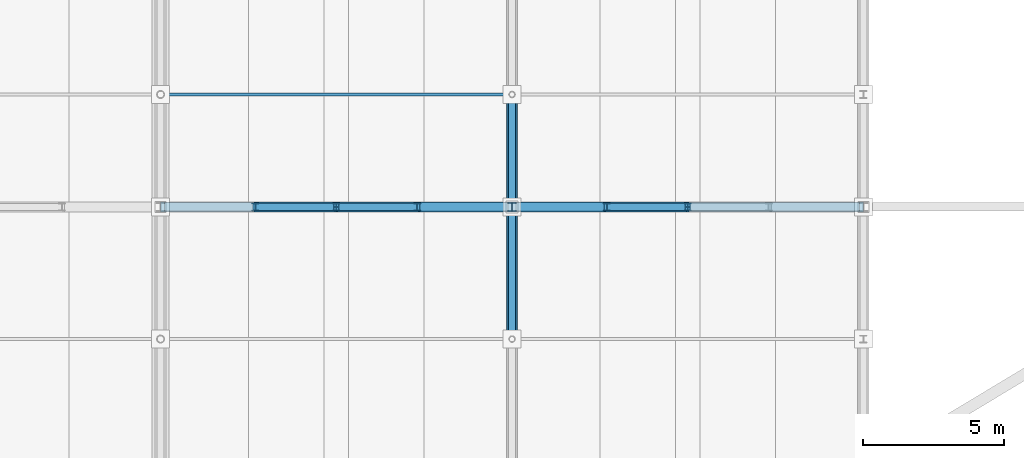
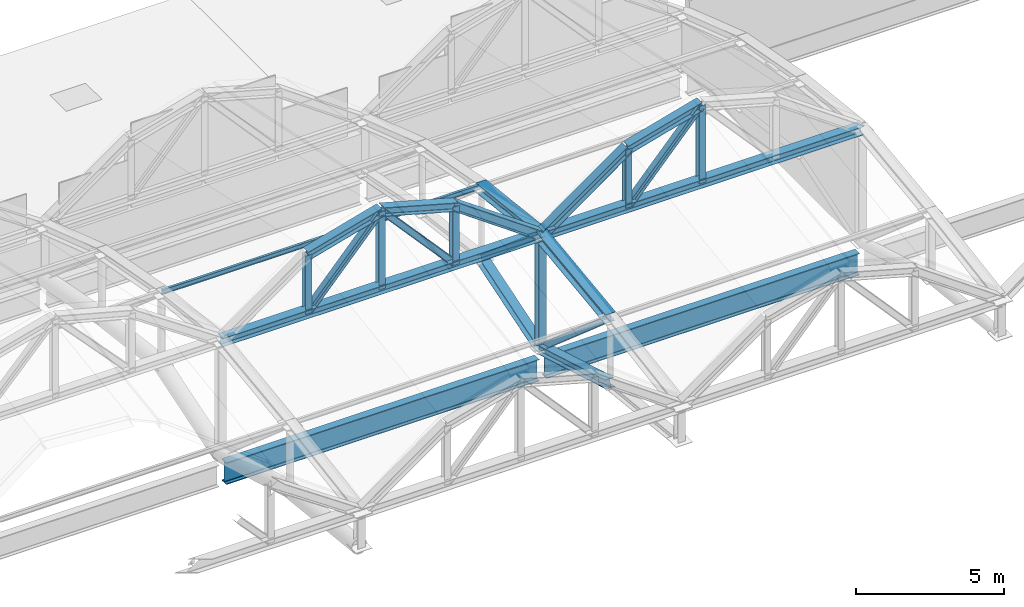
# One storey, part 69 of 117: 23 members, 2 beams.
"""IFC4 building model written with IfcOpenShell, lengths in metres."""

from ifc_helpers import new_model, si_unit, direction, frame, origin, origin_2d, place, context, subcontext, project, spatial, i_section, extrude, material, material_profile, profile_set, type_object, element, save


model = new_model("IFC4")

# Units and contexts
model_context = context("Model", 3, precision=1e-05, world=origin(), true_north=direction((0.0, 1.0)))
body_context = subcontext(model_context, "Body", "Model", "MODEL_VIEW")
ifc_project = project(units=[si_unit("LENGTHUNIT", "METRE"), si_unit("AREAUNIT", "SQUARE_METRE"), si_unit("VOLUMEUNIT", "CUBIC_METRE"), si_unit("PLANEANGLEUNIT", "RADIAN"), si_unit("MASSUNIT", "GRAM", prefix="KILO")], contexts=[model_context])

# Site, building, storey
site_placement = place(None, origin())
site = spatial("IfcSite", under=ifc_project, at=site_placement, CompositionType="ELEMENT")
building_placement = place(site_placement, origin())
building = spatial("IfcBuilding", under=site, at=building_placement, Name="Kazenohara Klinker Stadium", CompositionType="ELEMENT")
storey_placement = place(building_placement, frame((0.0, 0.0, 31.199951171875)))
storey = spatial("IfcBuildingStorey", under=building, at=storey_placement, Name="RF", CompositionType="ELEMENT", Elevation=31.199951171875)

# Members
ifc_material = material(Name="Steel S355", Category="steel")
ifc_material_profile_1 = material_profile(ifc_material, i_section(OverallWidth=0.25, OverallDepth=0.25, WebThickness=0.009033203125, FlangeThickness=0.013916015625, FilletRadius=0.012939453125, at=origin_2d()), Name="H-250x250x9x14")
ifc_profile_set_1 = profile_set([ifc_material_profile_1], Name="Steel S355")
member_type_1 = type_object("IfcMemberType", Name="MEM-BRC02", PredefinedType="BRACE", material=ifc_profile_set_1)
member_1_placement = place(storey_placement, frame((137.5, 136.0, 1.25), z_axis=(0.0, -0.761925548551, 0.647664618815), x_axis=(1.0, 0.0, 0.0)))
element("IfcMember", 1, at=member_1_placement, inside=storey, type_object=member_type_1, Name="ROOF TRUSS RT-N07 web diagonal 3", PredefinedType="BRACE", context=body_context, shape_type="SweptSolid", body=[
    extrude(i_section(OverallWidth=0.25, OverallDepth=0.25, WebThickness=0.009033203125, FlangeThickness=0.013916015625, FilletRadius=0.012939453125, at=origin_2d()), origin(), (0.0, 0.0, 1.0), 5.249755859375),
])
member_2_placement = place(storey_placement, frame((137.5, 132.0, -0.02001953125), z_axis=(0.0, -0.755945561544, 0.65463448426), x_axis=(1.0, 0.0, 0.0)))
element("IfcMember", 2, at=member_2_placement, inside=storey, type_object=member_type_1, Name="ROOF TRUSS RT-N07 web diagonal 4", PredefinedType="BRACE", context=body_context, shape_type="SweptSolid", body=[
    extrude(i_section(OverallWidth=0.25, OverallDepth=0.25, WebThickness=0.009033203125, FlangeThickness=0.013916015625, FilletRadius=0.012939453125, at=origin_2d()), origin(), (0.0, 0.0, 1.0), 6.21728515625),
])
ifc_material_profile_2 = material_profile(ifc_material, i_section(OverallWidth=0.39990234375, OverallDepth=0.39990234375, WebThickness=0.012939453125, FlangeThickness=0.02099609375, FilletRadius=0.02197265625, at=origin_2d()), Name="H-400x400x13x21")
ifc_profile_set_2 = profile_set([ifc_material_profile_2], Name="Steel S355")
member_type_2 = type_object("IfcMemberType", Name="MEM-CHD01", PredefinedType="CHORD", material=ifc_profile_set_2)
member_3_placement = place(storey_placement, frame((137.5, 136.0, 4.199951171875), z_axis=(0.0, -0.993725924527, 0.111842688283), x_axis=(1.0, 0.0, 0.0)))
element("IfcMember", 3, at=member_3_placement, inside=storey, type_object=member_type_2, Name="ROOF TRUSS RT-N07 top arched chord 3", PredefinedType="CHORD", context=body_context, shape_type="SweptSolid", body=[
    extrude(i_section(OverallWidth=0.39990234375, OverallDepth=0.39990234375, WebThickness=0.012939453125, FlangeThickness=0.02099609375, FilletRadius=0.02197265625, at=origin_2d()), origin(), (0.0, 0.0, 1.0), 4.025146484375),
])
member_4_placement = place(storey_placement, frame((137.5, 132.0, 4.650146484375), z_axis=(0.0, -0.99194702514, -0.126653461524), x_axis=(1.0, 0.0, 0.0)))
element("IfcMember", 4, at=member_4_placement, inside=storey, type_object=member_type_2, Name="ROOF TRUSS RT-N07 top arched chord 4", PredefinedType="CHORD", context=body_context, shape_type="SweptSolid", body=[
    extrude(i_section(OverallWidth=0.39990234375, OverallDepth=0.39990234375, WebThickness=0.012939453125, FlangeThickness=0.02099609375, FilletRadius=0.02197265625, at=origin_2d()), origin(), (0.0, 0.0, 1.0), 4.738037109375),
])
ifc_material_profile_3 = material_profile(ifc_material, i_section(OverallWidth=0.35009765625, OverallDepth=0.35009765625, WebThickness=0.011962890625, FlangeThickness=0.01904296875, FilletRadius=0.012939453125, at=origin_2d()), Name="H-350x350x12x19")
ifc_profile_set_3 = profile_set([ifc_material_profile_3], Name="Steel S355")
member_type_3 = type_object("IfcMemberType", Name="MEM-CHD02", PredefinedType="CHORD", material=ifc_profile_set_3)
member_5_placement = place(storey_placement, frame((137.5, 136.0, 1.25), z_axis=(0.0, -0.953112016541, -0.302617719119), x_axis=(1.0, 0.0, 0.0)))
element("IfcMember", 5, at=member_5_placement, inside=storey, type_object=member_type_3, Name="ROOF TRUSS RT-N07 bottom arched chord 3", PredefinedType="CHORD", context=body_context, shape_type="SweptSolid", body=[
    extrude(i_section(OverallWidth=0.35009765625, OverallDepth=0.35009765625, WebThickness=0.011962890625, FlangeThickness=0.01904296875, FilletRadius=0.012939453125, at=origin_2d()), origin(), (0.0, 0.0, 1.0), 4.19677734375),
])
member_6_placement = place(storey_placement, frame((137.5, 132.0, -0.02001953125), z_axis=(0.0, -0.960038530088, 0.279867863012), x_axis=(1.0, 0.0, 0.0)))
element("IfcMember", 6, at=member_6_placement, inside=storey, type_object=member_type_3, Name="ROOF TRUSS RT-N07 bottom arched chord 4", PredefinedType="CHORD", context=body_context, shape_type="SweptSolid", body=[
    extrude(i_section(OverallWidth=0.35009765625, OverallDepth=0.35009765625, WebThickness=0.011962890625, FlangeThickness=0.01904296875, FilletRadius=0.012939453125, at=origin_2d()), origin(), (0.0, 0.0, 1.0), 4.8955078125),
])
member_7_placement = place(storey_placement, frame((125.0, 132.0, 4.650146484375), z_axis=(1.0, 0.0, 0.0), x_axis=(0.0, 1.0, 0.0)))
element("IfcMember", 7, at=member_7_placement, inside=storey, type_object=member_type_3, Name="Barrel arch tie chord TC02 N-06-N3", PredefinedType="CHORD", context=body_context, shape_type="SweptSolid", body=[
    extrude(i_section(OverallWidth=0.35009765625, OverallDepth=0.35009765625, WebThickness=0.011962890625, FlangeThickness=0.01904296875, FilletRadius=0.012939453125, at=origin_2d()), origin(), (0.0, 0.0, 1.0), 12.5),
])
for number, where, z_axis, x_axis, name in (
    (8, (128.375, 132.0, 7.050048828125), (0.963393567269, 0.0, 0.268091093745), (0.0, 1.0, 0.0), "Barrel arch top rib TC02 N-06-N3-S2"),
    (9, (131.25, 132.0, 7.85009765625), (0.963393567269, 0.0, -0.268091093745), (0.0, 1.0, 0.0), "Barrel arch top rib TC02 N-06-N3-S3"),
):
    element("IfcMember", number, at=place(storey_placement, frame(where, z_axis=z_axis, x_axis=x_axis)), inside=storey, type_object=member_type_3, Name=name, PredefinedType="CHORD", context=body_context, shape_type="SweptSolid", body=[
        extrude(i_section(OverallWidth=0.35009765625, OverallDepth=0.35009765625, WebThickness=0.011962890625, FlangeThickness=0.01904296875, FilletRadius=0.012939453125, at=origin_2d()), origin(), (0.0, 0.0, 1.0), 2.984130859375),
    ])
member_8_placement = place(storey_placement, frame((134.125, 132.0, 7.050048828125), z_axis=(0.814966461491, 0.0, -0.579508124744), x_axis=(0.0, 1.0, 0.0)))
element("IfcMember", 10, at=member_8_placement, inside=storey, type_object=member_type_3, Name="Barrel arch top rib TC02 N-06-N3-S4", PredefinedType="CHORD", context=body_context, shape_type="SweptSolid", body=[
    extrude(i_section(OverallWidth=0.35009765625, OverallDepth=0.35009765625, WebThickness=0.011962890625, FlangeThickness=0.01904296875, FilletRadius=0.012939453125, at=origin_2d()), origin(), (0.0, 0.0, 1.0), 4.141357421875),
])
member_9_placement = place(storey_placement, frame((137.5, 132.0, 4.650146484375), z_axis=(1.0, 0.0, 0.0), x_axis=(0.0, 1.0, 0.0)))
element("IfcMember", 11, at=member_9_placement, inside=storey, type_object=member_type_3, Name="Barrel arch tie chord TC02 N-07-N3", PredefinedType="CHORD", context=body_context, shape_type="SweptSolid", body=[
    extrude(i_section(OverallWidth=0.35009765625, OverallDepth=0.35009765625, WebThickness=0.011962890625, FlangeThickness=0.01904296875, FilletRadius=0.012939453125, at=origin_2d()), origin(), (0.0, 0.0, 1.0), 12.5),
])
member_10_placement = place(storey_placement, frame((137.5, 132.0, 4.650146484375), z_axis=(0.814966461491, 0.0, 0.579508124744), x_axis=(0.0, 1.0, 0.0)))
element("IfcMember", 12, at=member_10_placement, inside=storey, type_object=member_type_3, Name="Barrel arch top rib TC02 N-07-N3-S1", PredefinedType="CHORD", context=body_context, shape_type="SweptSolid", body=[
    extrude(i_section(OverallWidth=0.35009765625, OverallDepth=0.35009765625, WebThickness=0.011962890625, FlangeThickness=0.01904296875, FilletRadius=0.012939453125, at=origin_2d()), origin(), (0.0, 0.0, 1.0), 4.141357421875),
])
member_11_placement = place(storey_placement, frame((140.875, 132.0, 7.050048828125), z_axis=(0.963393567269, 0.0, 0.268091093745), x_axis=(0.0, 1.0, 0.0)))
element("IfcMember", 13, at=member_11_placement, inside=storey, type_object=member_type_3, Name="Barrel arch top rib TC02 N-07-N3-S2", PredefinedType="CHORD", context=body_context, shape_type="SweptSolid", body=[
    extrude(i_section(OverallWidth=0.35009765625, OverallDepth=0.35009765625, WebThickness=0.011962890625, FlangeThickness=0.01904296875, FilletRadius=0.012939453125, at=origin_2d()), origin(), (0.0, 0.0, 1.0), 2.984130859375),
])
ifc_material_profile_4 = material_profile(ifc_material, i_section(OverallWidth=0.10009765625, OverallDepth=0.199951171875, WebThickness=0.005615234375, FlangeThickness=0.008056640625, FilletRadius=0.008056640625, at=origin_2d()), Name="H-200x100x5.5x8")
ifc_profile_set_4 = profile_set([ifc_material_profile_4], Name="Steel S355")
member_type_4 = type_object("IfcMemberType", Name="MEM-PUR02", PredefinedType="PURLIN", material=ifc_profile_set_4)
member_12_placement = place(storey_placement, frame((125.0, 136.0, 4.219970703125), z_axis=(1.0, 0.0, 0.0), x_axis=(0.0, 1.0, 0.0)))
element("IfcMember", 14, at=member_12_placement, inside=storey, type_object=member_type_4, Name="Canopy valley tie purlin PR02 N-06-N2", PredefinedType="PURLIN", context=body_context, shape_type="SweptSolid", body=[
    extrude(i_section(OverallWidth=0.10009765625, OverallDepth=0.199951171875, WebThickness=0.005615234375, FlangeThickness=0.008056640625, FilletRadius=0.008056640625, at=origin_2d()), origin(), (0.0, 0.0, 1.0), 12.5),
])
ifc_material_profile_5 = material_profile(ifc_material, i_section(OverallWidth=0.300048828125, OverallDepth=0.300048828125, WebThickness=0.010009765625, FlangeThickness=0.014892578125, FilletRadius=0.012939453125, at=origin_2d()), Name="H-300x300x10x15")
ifc_profile_set_5 = profile_set([ifc_material_profile_5], Name="Steel S355")
member_type_5 = type_object("IfcMemberType", Name="MEM-STR01", PredefinedType="STRUT", material=ifc_profile_set_5)
member_13_placement = place(storey_placement, frame((137.5, 132.0, -0.02001953125), z_axis=(0.0, 0.0, 1.0), x_axis=(1.0, 0.0, 0.0)))
element("IfcMember", 15, at=member_13_placement, inside=storey, type_object=member_type_5, Name="ROOF TRUSS RT-N07 web post 4", PredefinedType="STRUT", context=body_context, shape_type="SweptSolid", body=[
    extrude(i_section(OverallWidth=0.300048828125, OverallDepth=0.300048828125, WebThickness=0.010009765625, FlangeThickness=0.014892578125, FilletRadius=0.012939453125, at=origin_2d()), origin(), (0.0, 0.0, 1.0), 4.670166015625),
])
ifc_material_profile_6 = material_profile(ifc_material, i_section(OverallWidth=0.25, OverallDepth=0.25, WebThickness=0.009033203125, FlangeThickness=0.013916015625, FilletRadius=0.012939453125, at=origin_2d()), Name="H-250x250x9x14")
ifc_profile_set_6 = profile_set([ifc_material_profile_6], Name="Steel S355")
member_type_6 = type_object("IfcMemberType", Name="MEM-STR02", PredefinedType="STRUT", material=ifc_profile_set_6)
member_14_placement = place(storey_placement, frame((128.375, 132.0, 4.650146484375), z_axis=(0.0, 0.0, 1.0), x_axis=(1.0, 0.0, 0.0)))
element("IfcMember", 16, at=member_14_placement, inside=storey, type_object=member_type_6, Name="Barrel arch web post TS02 N-06-N3-P1", PredefinedType="STRUT", context=body_context, shape_type="SweptSolid", body=[
    extrude(i_section(OverallWidth=0.25, OverallDepth=0.25, WebThickness=0.009033203125, FlangeThickness=0.013916015625, FilletRadius=0.012939453125, at=origin_2d()), origin(), (0.0, 0.0, 1.0), 2.39990234375),
])
member_15_placement = place(storey_placement, frame((131.25, 132.0, 4.650146484375), z_axis=(0.0, 0.0, 1.0), x_axis=(1.0, 0.0, 0.0)))
element("IfcMember", 17, at=member_15_placement, inside=storey, type_object=member_type_6, Name="Barrel arch web post TS02 N-06-N3-P2", PredefinedType="STRUT", context=body_context, shape_type="SweptSolid", body=[
    extrude(i_section(OverallWidth=0.25, OverallDepth=0.25, WebThickness=0.009033203125, FlangeThickness=0.013916015625, FilletRadius=0.012939453125, at=origin_2d()), origin(), (0.0, 0.0, 1.0), 3.199951171875),
])
member_16_placement = place(storey_placement, frame((134.125, 132.0, 4.650146484375), z_axis=(0.0, 0.0, 1.0), x_axis=(1.0, 0.0, 0.0)))
element("IfcMember", 18, at=member_16_placement, inside=storey, type_object=member_type_6, Name="Barrel arch web post TS02 N-06-N3-P3", PredefinedType="STRUT", context=body_context, shape_type="SweptSolid", body=[
    extrude(i_section(OverallWidth=0.25, OverallDepth=0.25, WebThickness=0.009033203125, FlangeThickness=0.013916015625, FilletRadius=0.012939453125, at=origin_2d()), origin(), (0.0, 0.0, 1.0), 2.39990234375),
])
for number, where, z_axis, x_axis, name in (
    (19, (128.375, 132.0, 4.650146484375), (0.668327970369, 0.0, 0.74386673808), (0.0, 1.0, 0.0), "Barrel arch web diagonal TS02 N-06-N3-D1"),
    (20, (134.125, 132.0, 4.650146484375), (-0.668327970369, 0.0, 0.74386673808), (0.0, -1.0, 0.0), "Barrel arch web diagonal TS02 N-06-N3-D2"),
):
    element("IfcMember", number, at=place(storey_placement, frame(where, z_axis=z_axis, x_axis=x_axis)), inside=storey, type_object=member_type_6, Name=name, PredefinedType="STRUT", context=body_context, shape_type="SweptSolid", body=[
        extrude(i_section(OverallWidth=0.25, OverallDepth=0.25, WebThickness=0.009033203125, FlangeThickness=0.013916015625, FilletRadius=0.012939453125, at=origin_2d()), origin(), (0.0, 0.0, 1.0), 4.3017578125),
    ])
member_17_placement = place(storey_placement, frame((140.875, 132.0, 4.650146484375), z_axis=(0.0, 0.0, 1.0), x_axis=(1.0, 0.0, 0.0)))
element("IfcMember", 21, at=member_17_placement, inside=storey, type_object=member_type_6, Name="Barrel arch web post TS02 N-07-N3-P1", PredefinedType="STRUT", context=body_context, shape_type="SweptSolid", body=[
    extrude(i_section(OverallWidth=0.25, OverallDepth=0.25, WebThickness=0.009033203125, FlangeThickness=0.013916015625, FilletRadius=0.012939453125, at=origin_2d()), origin(), (0.0, 0.0, 1.0), 2.39990234375),
])
member_18_placement = place(storey_placement, frame((143.75, 132.0, 4.650146484375), z_axis=(0.0, 0.0, 1.0), x_axis=(1.0, 0.0, 0.0)))
element("IfcMember", 22, at=member_18_placement, inside=storey, type_object=member_type_6, Name="Barrel arch web post TS02 N-07-N3-P2", PredefinedType="STRUT", context=body_context, shape_type="SweptSolid", body=[
    extrude(i_section(OverallWidth=0.25, OverallDepth=0.25, WebThickness=0.009033203125, FlangeThickness=0.013916015625, FilletRadius=0.012939453125, at=origin_2d()), origin(), (0.0, 0.0, 1.0), 3.199951171875),
])
member_19_placement = place(storey_placement, frame((140.875, 132.0, 4.650146484375), z_axis=(0.668327970369, 0.0, 0.74386673808), x_axis=(0.0, 1.0, 0.0)))
element("IfcMember", 23, at=member_19_placement, inside=storey, type_object=member_type_6, Name="Barrel arch web diagonal TS02 N-07-N3-D1", PredefinedType="STRUT", context=body_context, shape_type="SweptSolid", body=[
    extrude(i_section(OverallWidth=0.25, OverallDepth=0.25, WebThickness=0.009033203125, FlangeThickness=0.013916015625, FilletRadius=0.012939453125, at=origin_2d()), origin(), (0.0, 0.0, 1.0), 4.3017578125),
])

# Beams
ifc_material_profile_7 = material_profile(ifc_material, i_section(OverallWidth=0.300048828125, OverallDepth=0.89990234375, WebThickness=0.01611328125, FlangeThickness=0.028076171875, FilletRadius=0.02197265625, at=origin_2d()), Name="H-900x300x16x28")
ifc_profile_set_7 = profile_set([ifc_material_profile_7], Name="Steel S355")
beam_type = type_object("IfcBeamType", Name="RING-RB01", PredefinedType="USERDEFINED", material=ifc_profile_set_7)
for number, where, z_axis, x_axis, name in (
    (24, (125.139892578125, 132.0, -0.820068359375), (1.0, 0.0, 0.0), (0.0, 1.0, 0.0), "Roof ring beam RB01 N-IN 11-12"),
    (25, (137.639892578125, 132.0, -0.820068359375), (1.0, 0.0, 0.0), (0.0, 1.0, 0.0), "Roof ring beam RB01 N-IN 12-13"),
):
    element("IfcBeam", number, at=place(storey_placement, frame(where, z_axis=z_axis, x_axis=x_axis)), inside=storey, type_object=beam_type, Name=name, ObjectType="RING BEAM", PredefinedType="USERDEFINED", context=body_context, shape_type="SweptSolid", body=[
        extrude(i_section(OverallWidth=0.300048828125, OverallDepth=0.89990234375, WebThickness=0.01611328125, FlangeThickness=0.028076171875, FilletRadius=0.02197265625, at=origin_2d()), origin(), (0.0, 0.0, 1.0), 12.22021484375),
    ])

save(model, "model.ifc")
